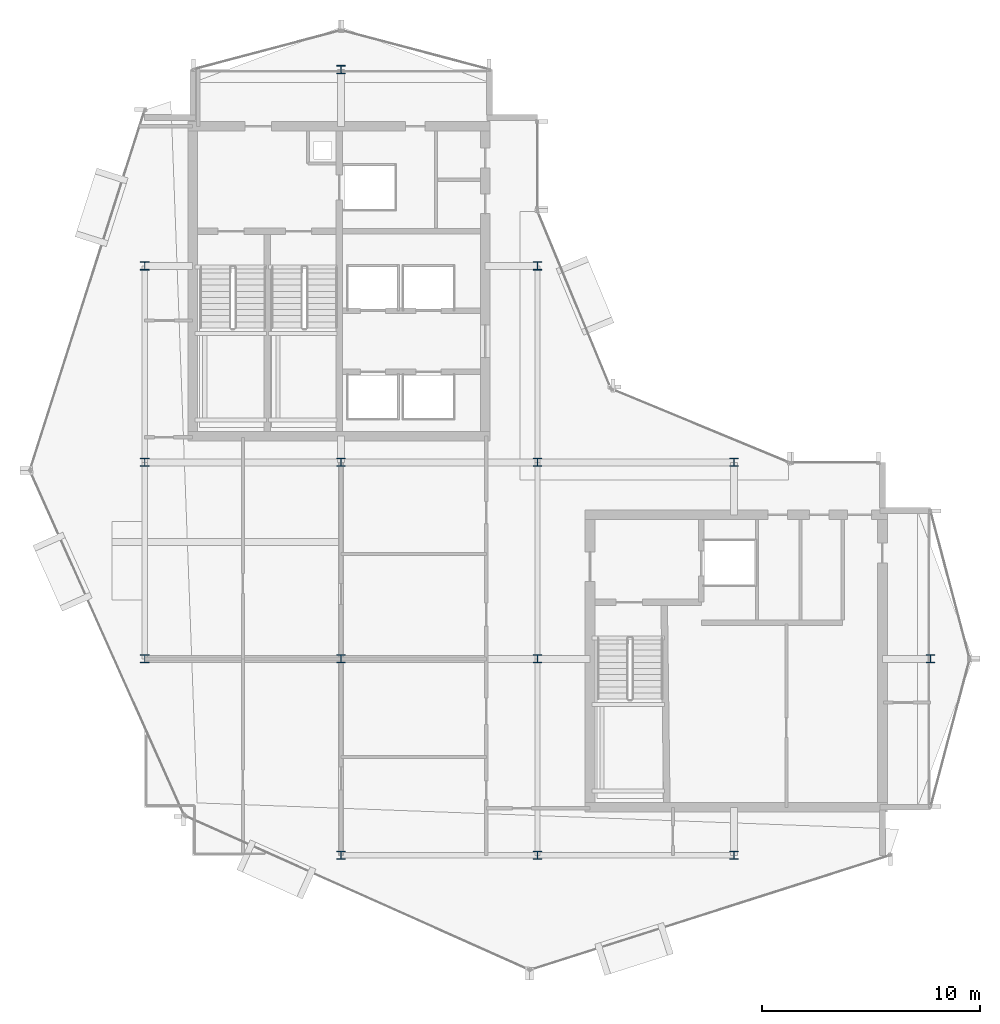
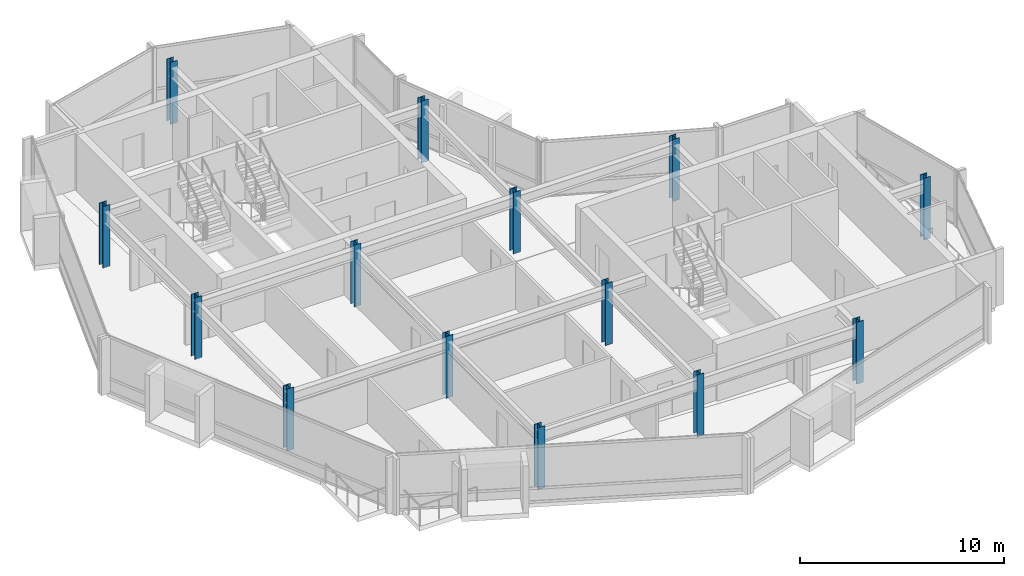
# One storey, part 1 of 19: 14 columns.
"""IFC4 building model written with IfcOpenShell, lengths in metres."""

from ifc_helpers import new_model, si_unit, direction, frame, origin, origin_2d, place, context, subcontext, project, spatial, i_section, extrude, material, material_profile, profile_set, type_object, element, save


model = new_model("IFC4")

# Units and contexts
model_context = context("Model", 3, precision=1e-05, world=origin(), true_north=direction((0.0, 1.0)))
body_context = subcontext(model_context, "Body", "Model", "MODEL_VIEW")
ifc_project = project(units=[si_unit("LENGTHUNIT", "METRE"), si_unit("AREAUNIT", "SQUARE_METRE"), si_unit("VOLUMEUNIT", "CUBIC_METRE"), si_unit("PLANEANGLEUNIT", "RADIAN"), si_unit("MASSUNIT", "GRAM", prefix="KILO")], contexts=[model_context])

# Site, building, storey
site_placement = place(None, origin())
site = spatial("IfcSite", under=ifc_project, at=site_placement, CompositionType="ELEMENT")
building_placement = place(site_placement, origin())
building = spatial("IfcBuilding", under=site, at=building_placement, Name="Solvaryn Broadcast Tower", CompositionType="ELEMENT")
storey_placement = place(building_placement, frame((0.0, 0.0, 281.5)))
storey = spatial("IfcBuildingStorey", under=building, at=storey_placement, Name="L71", CompositionType="ELEMENT", Elevation=281.5)

# Columns
ifc_material_1 = material(Name="Steel ASTM A913 Grade 65", Category="steel")
ifc_material_profile_1 = material_profile(ifc_material_1, i_section(OverallWidth=0.39404296875, OverallDepth=0.375, WebThickness=0.017333984375, FlangeThickness=0.027587890625, FilletRadius=0.014892578125, at=origin_2d()))
ifc_profile_set_1 = profile_set([ifc_material_profile_1], Name="Steel ASTM A913 Grade 65")
column_type_1 = type_object("IfcColumnType", Name="COL-C10E-W14X145", PredefinedType="COLUMN", material=ifc_profile_set_1)
for number, where, z_axis, x_axis, name in (
    (1, (9.0, 18.0, 0.0), (0.0, 0.0, 1.0), (1.0, 0.0, 0.0), "L71 Column (9.0, 18.0)"),
    (2, (9.0, 27.0, 0.0), (0.0, 0.0, 1.0), (1.0, 0.0, 0.0), "L71 Column (9.0, 27.0)"),
    (3, (9.0, 36.0, 0.0), (0.0, 0.0, 1.0), (1.0, 0.0, 0.0), "L71 Column (9.0, 36.0)"),
    (4, (18.0, 9.0, 0.0), (0.0, 0.0, 1.0), (1.0, 0.0, 0.0), "L71 Column (18.0, 9.0)"),
    (5, (18.0, 45.0, 0.0), (0.0, 0.0, 1.0), (1.0, 0.0, 0.0), "L71 Column (18.0, 45.0)"),
    (6, (27.0, 9.0, 0.0), (0.0, 0.0, 1.0), (1.0, 0.0, 0.0), "L71 Column (27.0, 9.0)"),
    (7, (27.0, 36.0, 0.0), (0.0, 0.0, 1.0), (1.0, 0.0, 0.0), "L71 Column (27.0, 36.0)"),
    (8, (36.0, 9.0, 0.0), (0.0, 0.0, 1.0), (1.0, 0.0, 0.0), "L71 Column (36.0, 9.0)"),
    (9, (36.0, 27.0, 0.0), (0.0, 0.0, 1.0), (1.0, 0.0, 0.0), "L71 Column (36.0, 27.0)"),
    (10, (45.0, 18.0, 0.0), (0.0, 0.0, 1.0), (1.0, 0.0, 0.0), "L71 Column (45.0, 18.0)"),
):
    element("IfcColumn", number, at=place(storey_placement, frame(where, z_axis=z_axis, x_axis=x_axis)), inside=storey, type_object=column_type_1, Name=name, PredefinedType="COLUMN", context=body_context, shape_type="SweptSolid", body=[
        extrude(i_section(OverallWidth=0.39404296875, OverallDepth=0.375, WebThickness=0.017333984375, FlangeThickness=0.027587890625, FilletRadius=0.014892578125, at=origin_2d()), origin(), (0.0, 0.0, 1.0), 3.699951171875),
    ])
ifc_material_2 = material(Name="Steel ASTM A913 Grade 65", Category="steel")
ifc_material_profile_2 = material_profile(ifc_material_2, i_section(OverallWidth=0.39404296875, OverallDepth=0.375, WebThickness=0.017333984375, FlangeThickness=0.027587890625, FilletRadius=0.014892578125, at=origin_2d()))
ifc_profile_set_2 = profile_set([ifc_material_profile_2], Name="Steel ASTM A913 Grade 65")
column_type_2 = type_object("IfcColumnType", Name="COL-C10I-W14X145", PredefinedType="COLUMN", material=ifc_profile_set_2)
for number, where, z_axis, x_axis, name in (
    (11, (18.0, 18.0, 0.0), (0.0, 0.0, 1.0), (1.0, 0.0, 0.0), "L71 Column (18.0, 18.0)"),
    (12, (18.0, 27.0, 0.0), (0.0, 0.0, 1.0), (1.0, 0.0, 0.0), "L71 Column (18.0, 27.0)"),
    (13, (27.0, 18.0, 0.0), (0.0, 0.0, 1.0), (1.0, 0.0, 0.0), "L71 Column (27.0, 18.0)"),
    (14, (27.0, 27.0, 0.0), (0.0, 0.0, 1.0), (1.0, 0.0, 0.0), "L71 Column (27.0, 27.0)"),
):
    element("IfcColumn", number, at=place(storey_placement, frame(where, z_axis=z_axis, x_axis=x_axis)), inside=storey, type_object=column_type_2, Name=name, PredefinedType="COLUMN", context=body_context, shape_type="SweptSolid", body=[
        extrude(i_section(OverallWidth=0.39404296875, OverallDepth=0.375, WebThickness=0.017333984375, FlangeThickness=0.027587890625, FilletRadius=0.014892578125, at=origin_2d()), origin(), (0.0, 0.0, 1.0), 3.699951171875),
    ])

save(model, "model.ifc")
